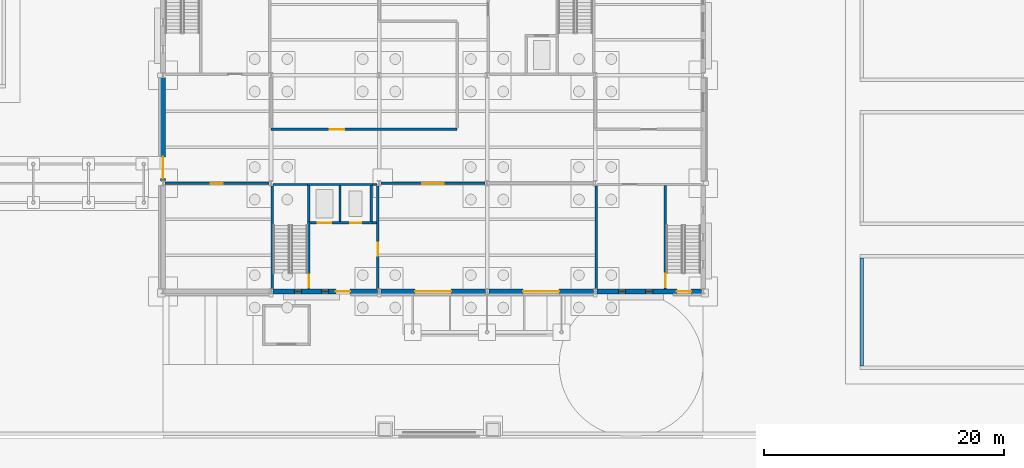
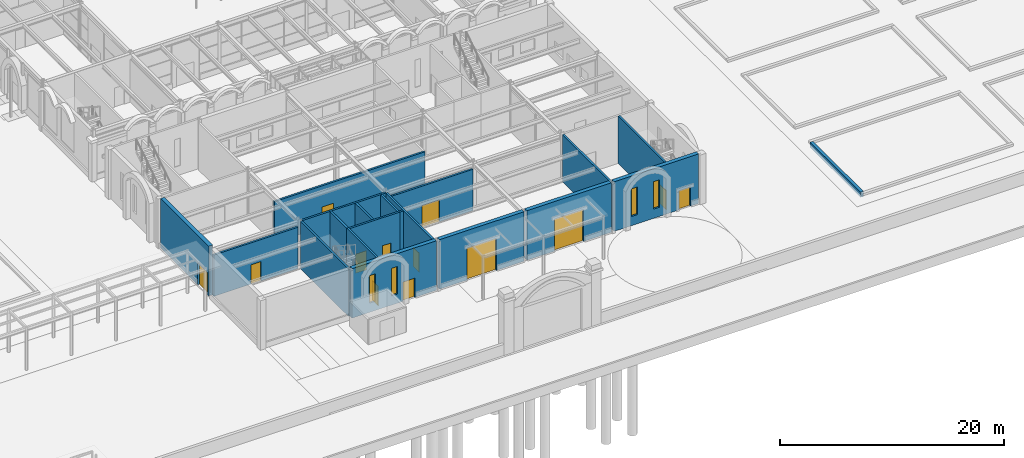
# One storey, part 69 of 126: 22 walls, 13 doors, 4 windows, 17 openings.
"""IFC4 building model written with IfcOpenShell, lengths in metres."""

from ifc_helpers import new_model, si_unit, direction, frame, frame_2d, origin, place, context, subcontext, project, spatial, rectangle, extrude, material, layer, layer_set, type_object, element, fill, save


model = new_model("IFC4")

# Units and contexts
model_context = context("Model", 3, precision=1e-05, world=origin(), true_north=direction((0.0, 1.0)))
body_context = subcontext(model_context, "Body", "Model", "MODEL_VIEW")
ifc_project = project(units=[si_unit("LENGTHUNIT", "METRE"), si_unit("AREAUNIT", "SQUARE_METRE"), si_unit("VOLUMEUNIT", "CUBIC_METRE"), si_unit("PLANEANGLEUNIT", "RADIAN"), si_unit("MASSUNIT", "GRAM", prefix="KILO")], contexts=[model_context])

# Site, building, storey
site_placement = place(None, origin())
site = spatial("IfcSite", under=ifc_project, at=site_placement, CompositionType="ELEMENT")
building_placement = place(site_placement, origin())
building = spatial("IfcBuilding", under=site, at=building_placement, Name="Kallimachos Central Library", CompositionType="ELEMENT")
storey_placement = place(building_placement, origin())
storey = spatial("IfcBuildingStorey", under=building, at=storey_placement, Name="L00", CompositionType="ELEMENT", Elevation=0.0)

# Wall, opening, door
ifc_material_1 = material(Name="Concrete C30/37", Category="concrete")
ifc_layer_1 = layer(ifc_material_1, 0.199951171875)
ifc_layer_set_1 = layer_set([ifc_layer_1], Name="Compartment wall 200")
wall_type_1 = type_object("IfcWallType", Name="Compartment wall 200", PredefinedType="SOLIDWALL", material=ifc_layer_set_1)
wall_1_placement = place(storey_placement, frame((65.64990234375, 27.0, 0.0), z_axis=(0.0, 0.0, 1.0), x_axis=(1.0, 0.0, 0.0)))
wall_1 = element("IfcWall", 1, at=wall_1_placement, inside=storey, type_object=wall_type_1, Name="V5-WAL-L00-043", PredefinedType="SOLIDWALL", context=body_context, shape_type="SweptSolid", body=[
    extrude(rectangle(XDim=8.696533203125, YDim=0.199951171875, at=frame_2d((4.34814453125, 0.0))), origin(), (0.0, 0.0, 1.0), 4.5),
])
opening_1_placement = place(wall_1_placement, frame((3.85009765625, 0.0, 0.0)))
opening_1 = element("IfcOpeningElement", 2, at=opening_1_placement, cuts=wall_1, Name="Opening D90", PredefinedType="OPENING", context=body_context, shape_type="SweptSolid", body=[
    extrude(rectangle(XDim=1.0, YDim=2.10009765625, at=frame_2d((0.5, 1.050048828125))), frame((0.0, 0.10986328125, 0.0), z_axis=(0.0, -1.0, 0.0), x_axis=(1.0, 0.0, 0.0)), (0.0, 0.0, 1.0), 0.219970703125),
])
ifc_material_2 = material(Name="Steel fire door", Category="steel")
door_type_1 = type_object("IfcDoorType", Name="Fire door EI2 90 1000 x 2100", OperationType="NOTDEFINED", PredefinedType="DOOR", material=ifc_material_2)
door_1_placement = place(opening_1_placement, frame((1.0, 0.0, 0.0), z_axis=(0.0, 0.0, 1.0), x_axis=(-1.0, 0.0, 0.0)))
door_1 = element("IfcDoor", 3, at=door_1_placement, inside=storey, type_object=door_type_1, Name="Quarantine Room door", OperationType="SINGLE_SWING_LEFT", OverallHeight=2.10009765625, OverallWidth=1.0, PredefinedType="DOOR", context=body_context, shape_type="SweptSolid", body=[
    extrude(rectangle(XDim=1.0, YDim=2.10009765625, at=frame_2d((0.5, 1.050048828125))), frame((0.0, 0.02490234375, 0.0), z_axis=(0.0, -1.0, 0.0), x_axis=(1.0, 0.0, 0.0)), (0.0, 0.0, 1.0), 0.050048828125),
])
fill(opening_1, door_1)

wall_2_placement = place(storey_placement, frame((83.653564453125, 27.0, 0.0), z_axis=(0.0, 0.0, 1.0), x_axis=(1.0, 0.0, 0.0)))
wall_2 = element("IfcWall", 4, at=wall_2_placement, inside=storey, type_object=wall_type_1, Name="V5-WAL-L00-044", PredefinedType="SOLIDWALL", context=body_context, shape_type="SweptSolid", body=[
    extrude(rectangle(XDim=8.69287109375, YDim=0.199951171875, at=frame_2d((4.346435546875, 0.0))), origin(), (0.0, 0.0, 1.0), 4.5),
])
opening_2_placement = place(wall_2_placement, frame((3.446533203125, 0.0, 0.0)))
opening_2 = element("IfcOpeningElement", 5, at=opening_2_placement, cuts=wall_2, Name="Opening D91", PredefinedType="OPENING", context=body_context, shape_type="SweptSolid", body=[
    extrude(rectangle(XDim=1.800048828125, YDim=2.39990234375, at=frame_2d((0.89990234375, 1.199951171875))), frame((0.0, 0.10986328125, 0.0), z_axis=(0.0, -1.0, 0.0), x_axis=(1.0, 0.0, 0.0)), (0.0, 0.0, 1.0), 0.219970703125),
])
ifc_material_3 = material(Name="Steel fire door", Category="steel")
door_type_2 = type_object("IfcDoorType", Name="Fire door EI2 90 1800 x 2400", OperationType="DOUBLE_DOOR_SINGLE_SWING", PredefinedType="DOOR", material=ifc_material_3)
door_2_placement = place(opening_2_placement, origin())
door_2 = element("IfcDoor", 6, at=door_2_placement, inside=storey, type_object=door_type_2, Name="Receiving Dock door", OperationType="DOUBLE_DOOR_SINGLE_SWING", OverallHeight=2.39990234375, OverallWidth=1.800048828125, PredefinedType="DOOR", context=body_context, shape_type="SweptSolid", body=[
    extrude(rectangle(XDim=1.800048828125, YDim=2.39990234375, at=frame_2d((0.89990234375, 1.199951171875))), frame((0.0, 0.02490234375, 0.0), z_axis=(0.0, -1.0, 0.0), x_axis=(1.0, 0.0, 0.0)), (0.0, 0.0, 1.0), 0.050048828125),
])
fill(opening_2, door_2)

wall_3_placement = place(storey_placement, frame((74.5, 31.5, 0.0), z_axis=(0.0, 0.0, 1.0), x_axis=(1.0, 0.0, 0.0)))
wall_3 = element("IfcWall", 7, at=wall_3_placement, inside=storey, type_object=wall_type_1, Name="V5-WAL-L00-046", PredefinedType="SOLIDWALL", context=body_context, shape_type="SweptSolid", body=[
    extrude(rectangle(XDim=15.5, YDim=0.199951171875, at=frame_2d((7.75, 0.0))), origin(), (0.0, 0.0, 1.0), 4.5),
])
opening_3_placement = place(wall_3_placement, frame((4.89990234375, 0.0, 0.0)))
opening_3 = element("IfcOpeningElement", 8, at=opening_3_placement, cuts=wall_3, Name="Opening D92", PredefinedType="OPENING", context=body_context, shape_type="SweptSolid", body=[
    extrude(rectangle(XDim=1.199951171875, YDim=2.199951171875, at=frame_2d((0.60009765625, 1.10009765625))), frame((0.0, 0.10986328125, 0.0), z_axis=(0.0, -1.0, 0.0), x_axis=(1.0, 0.0, 0.0)), (0.0, 0.0, 1.0), 0.219970703125),
])
ifc_material_4 = material(Name="Steel fire door", Category="steel")
door_type_3 = type_object("IfcDoorType", Name="Fire door EI2 90 1200 x 2200", OperationType="DOUBLE_DOOR_SINGLE_SWING", PredefinedType="DOOR", material=ifc_material_4)
door_3_placement = place(opening_3_placement, origin())
door_3 = element("IfcDoor", 9, at=door_3_placement, inside=storey, type_object=door_type_3, Name="Plant Room 1 door", OperationType="DOUBLE_DOOR_SINGLE_SWING", OverallHeight=2.199951171875, OverallWidth=1.199951171875, PredefinedType="DOOR", context=body_context, shape_type="SweptSolid", body=[
    extrude(rectangle(XDim=1.199951171875, YDim=2.199951171875, at=frame_2d((0.60009765625, 1.10009765625))), frame((0.0, 0.02490234375, 0.0), z_axis=(0.0, -1.0, 0.0), x_axis=(1.0, 0.0, 0.0)), (0.0, 0.0, 1.0), 0.050048828125),
])
fill(opening_3, door_3)

# Walls
ifc_material_5 = material(Name="Concrete C30/37", Category="concrete")
ifc_layer_2 = layer(ifc_material_5, 0.199951171875)
ifc_layer_set_2 = layer_set([ifc_layer_2], Name="Core wall 200")
wall_type_2 = type_object("IfcWallType", Name="Core wall 200", PredefinedType="SOLIDWALL", material=ifc_layer_set_2)
wall_4_placement = place(storey_placement, frame((74.653564453125, 26.89990234375, 0.0), z_axis=(0.0, 0.0, 1.0), x_axis=(1.0, 0.0, 0.0)))
element("IfcWall", 10, at=wall_4_placement, inside=storey, type_object=wall_type_2, Name="V5-WAL-L00-026", PredefinedType="SOLIDWALL", context=body_context, shape_type="SweptSolid", body=[
    extrude(rectangle(XDim=2.896484375, YDim=0.199951171875, at=frame_2d((1.4482421875, 0.0))), origin(), (0.0, 0.0, 1.0), 5.14990234375),
])
wall_5_placement = place(storey_placement, frame((82.949951171875, 26.89990234375, 0.0), z_axis=(0.0, 0.0, 1.0), x_axis=(1.0, 0.0, 0.0)))
element("IfcWall", 11, at=wall_5_placement, inside=storey, type_object=wall_type_2, Name="V5-WAL-L00-027", PredefinedType="SOLIDWALL", context=body_context, shape_type="SweptSolid", body=[
    extrude(rectangle(XDim=0.396484375, YDim=0.199951171875, at=frame_2d((0.1982421875, 0.0))), origin(), (0.0, 0.0, 1.0), 5.14990234375),
])
wall_6_placement = place(storey_placement, frame((74.60009765625, 18.199951171875, 0.0), z_axis=(0.0, 0.0, 1.0), x_axis=(0.0, 1.0, 0.0)))
element("IfcWall", 12, at=wall_6_placement, inside=storey, type_object=wall_type_2, Name="V5-WAL-L00-028", PredefinedType="SOLIDWALL", context=body_context, shape_type="SweptSolid", body=[
    extrude(rectangle(XDim=8.583984375, YDim=0.199951171875, at=frame_2d((4.2919921875, 0.0))), origin(), (0.0, 0.0, 1.0), 5.14990234375),
])

# Wall, opening, door
wall_7_placement = place(storey_placement, frame((83.39990234375, 18.199951171875, 0.0), z_axis=(0.0, 0.0, 1.0), x_axis=(0.0, 1.0, 0.0)))
wall_7 = element("IfcWall", 13, at=wall_7_placement, inside=storey, type_object=wall_type_2, Name="V5-WAL-L00-029", PredefinedType="SOLIDWALL", context=body_context, shape_type="SweptSolid", body=[
    extrude(rectangle(XDim=8.583984375, YDim=0.199951171875, at=frame_2d((4.2919921875, 0.0))), origin(), (0.0, 0.0, 1.0), 5.14990234375),
])
opening_4_placement = place(wall_7_placement, frame((2.75, 0.0, 0.0)))
opening_4 = element("IfcOpeningElement", 14, at=opening_4_placement, cuts=wall_7, Name="Opening D83", PredefinedType="OPENING", context=body_context, shape_type="SweptSolid", body=[
    extrude(rectangle(XDim=1.10009765625, YDim=2.10009765625, at=frame_2d((0.550048828125, 1.050048828125))), frame((0.0, 0.10986328125, 0.0), z_axis=(0.0, -1.0, 0.0), x_axis=(1.0, 0.0, 0.0)), (0.0, 0.0, 1.0), 0.219970703125),
])
ifc_material_6 = material(Name="Steel fire door", Category="steel")
door_type_4 = type_object("IfcDoorType", Name="Fire door EI2 90 1100 x 2100", OperationType="NOTDEFINED", PredefinedType="DOOR", material=ifc_material_6)
door_4_placement = place(opening_4_placement, origin())
door_4 = element("IfcDoor", 15, at=door_4_placement, inside=storey, type_object=door_type_4, Name="ST13 lobby door L00", OperationType="SINGLE_SWING_RIGHT", OverallHeight=2.10009765625, OverallWidth=1.10009765625, PredefinedType="DOOR", context=body_context, shape_type="SweptSolid", body=[
    extrude(rectangle(XDim=1.10009765625, YDim=2.10009765625, at=frame_2d((0.550048828125, 1.050048828125))), frame((0.0, 0.02490234375, 0.0), z_axis=(0.0, -1.0, 0.0), x_axis=(1.0, 0.0, 0.0)), (0.0, 0.0, 1.0), 0.050048828125),
])
fill(opening_4, door_4)

wall_8_placement = place(storey_placement, frame((77.64990234375, 18.199951171875, 0.0), z_axis=(0.0, 0.0, 1.0), x_axis=(0.0, 1.0, 0.0)))
wall_8 = element("IfcWall", 16, at=wall_8_placement, inside=storey, type_object=wall_type_2, Name="V5-WAL-L00-030", PredefinedType="SOLIDWALL", context=body_context, shape_type="SweptSolid", body=[
    extrude(rectangle(XDim=5.60009765625, YDim=0.199951171875, at=frame_2d((2.800048828125, 0.0))), origin(), (0.0, 0.0, 1.0), 5.14990234375),
])
opening_5_placement = place(wall_8_placement, frame((0.10009765625, 0.0, 0.0)))
opening_5 = element("IfcOpeningElement", 17, at=opening_5_placement, cuts=wall_8, Name="Opening D82", PredefinedType="OPENING", context=body_context, shape_type="SweptSolid", body=[
    extrude(rectangle(XDim=1.10009765625, YDim=2.10009765625, at=frame_2d((0.550048828125, 1.050048828125))), frame((0.0, 0.10986328125, 0.0), z_axis=(0.0, -1.0, 0.0), x_axis=(1.0, 0.0, 0.0)), (0.0, 0.0, 1.0), 0.219970703125),
])
door_5_placement = place(opening_5_placement, origin())
door_5 = element("IfcDoor", 18, at=door_5_placement, inside=storey, type_object=door_type_4, Name="ST13 stair door L00", OperationType="SINGLE_SWING_RIGHT", OverallHeight=2.10009765625, OverallWidth=1.10009765625, PredefinedType="DOOR", context=body_context, shape_type="SweptSolid", body=[
    extrude(rectangle(XDim=1.10009765625, YDim=2.10009765625, at=frame_2d((0.550048828125, 1.050048828125))), frame((0.0, 0.02490234375, 0.0), z_axis=(0.0, -1.0, 0.0), x_axis=(1.0, 0.0, 0.0)), (0.0, 0.0, 1.0), 0.050048828125),
])
fill(opening_5, door_5)

# Walls
wall_9_placement = place(storey_placement, frame((82.949951171875, 23.699951171875, 0.0), z_axis=(0.0, 0.0, 1.0), x_axis=(1.0, 0.0, 0.0)))
element("IfcWall", 19, at=wall_9_placement, inside=storey, type_object=wall_type_2, Name="V5-WAL-L00-031", PredefinedType="SOLIDWALL", context=body_context, shape_type="SweptSolid", body=[
    extrude(rectangle(XDim=0.35009765625, YDim=0.199951171875, at=frame_2d((0.175048828125, 0.0))), origin(), (0.0, 0.0, 1.0), 5.14990234375),
])
wall_10_placement = place(storey_placement, frame((101.60009765625, 18.199951171875, 0.0), z_axis=(0.0, 0.0, 1.0), x_axis=(0.0, 1.0, 0.0)))
element("IfcWall", 20, at=wall_10_placement, inside=storey, type_object=wall_type_2, Name="V5-WAL-L00-041", PredefinedType="SOLIDWALL", context=body_context, shape_type="SweptSolid", body=[
    extrude(rectangle(XDim=8.583984375, YDim=0.199951171875, at=frame_2d((4.2919921875, 0.0))), origin(), (0.0, 0.0, 1.0), 5.14990234375),
])

# Wall, opening, door
wall_11_placement = place(storey_placement, frame((107.35009765625, 18.199951171875, 0.0), z_axis=(0.0, 0.0, 1.0), x_axis=(0.0, 1.0, 0.0)))
wall_11 = element("IfcWall", 21, at=wall_11_placement, inside=storey, type_object=wall_type_2, Name="V5-WAL-L00-042", PredefinedType="SOLIDWALL", context=body_context, shape_type="SweptSolid", body=[
    extrude(rectangle(XDim=8.60009765625, YDim=0.199951171875, at=frame_2d((4.300048828125, 0.0))), origin(), (0.0, 0.0, 1.0), 5.14990234375),
])
opening_6_placement = place(wall_11_placement, frame((0.14990234375, 0.0, 0.0)))
opening_6 = element("IfcOpeningElement", 22, at=opening_6_placement, cuts=wall_11, Name="Opening D88", PredefinedType="OPENING", context=body_context, shape_type="SweptSolid", body=[
    extrude(rectangle(XDim=1.10009765625, YDim=2.10009765625, at=frame_2d((0.550048828125, 1.050048828125))), frame((0.0, 0.10986328125, 0.0), z_axis=(0.0, -1.0, 0.0), x_axis=(1.0, 0.0, 0.0)), (0.0, 0.0, 1.0), 0.219970703125),
])
door_6_placement = place(opening_6_placement, frame((1.10009765625, 0.0, 0.0), z_axis=(0.0, 0.0, 1.0), x_axis=(-1.0, 0.0, 0.0)))
door_6 = element("IfcDoor", 23, at=door_6_placement, inside=storey, type_object=door_type_4, Name="ST16 stair door L00", OperationType="SINGLE_SWING_LEFT", OverallHeight=2.10009765625, OverallWidth=1.10009765625, PredefinedType="DOOR", context=body_context, shape_type="SweptSolid", body=[
    extrude(rectangle(XDim=1.10009765625, YDim=2.10009765625, at=frame_2d((0.550048828125, 1.050048828125))), frame((0.0, 0.02490234375, 0.0), z_axis=(0.0, -1.0, 0.0), x_axis=(1.0, 0.0, 0.0)), (0.0, 0.0, 1.0), 0.050048828125),
])
fill(opening_6, door_6)

# Wall
ifc_material_7 = material(Name="Granite kerb stone", Category="masonry")
ifc_layer_3 = layer(ifc_material_7, 0.300048828125)
ifc_layer_set_3 = layer_set([ifc_layer_3], Name="Granite kerb 300")
wall_type_3 = type_object("IfcWallType", Name="Granite kerb 300", PredefinedType="SOLIDWALL", material=ifc_layer_set_3)
wall_12_placement = place(storey_placement, frame((123.699951171875, 11.77490234375, -0.300048828125), z_axis=(0.0, 0.0, 1.0), x_axis=(0.0, 1.0, 0.0)))
element("IfcWall", 24, at=wall_12_placement, inside=storey, type_object=wall_type_3, Name="Garden bed kerb west 122-10", PredefinedType="SOLIDWALL", context=body_context, shape_type="SweptSolid", body=[
    extrude(rectangle(XDim=9.0, YDim=0.300048828125, at=frame_2d((4.5, 0.0))), origin(), (0.0, 0.0, 1.0), 0.550048828125),
])

# Wall, openings, doors
ifc_material_8 = material(Name="Concrete C30/37", Category="concrete")
ifc_layer_4 = layer(ifc_material_8, 0.199951171875)
ifc_layer_set_4 = layer_set([ifc_layer_4], Name="Lift shaft wall 200")
wall_type_4 = type_object("IfcWallType", Name="Lift shaft wall 200", PredefinedType="SOLIDWALL", material=ifc_layer_set_4)
wall_13_placement = place(storey_placement, frame((77.550048828125, 23.699951171875, -1.10009765625), z_axis=(0.0, 0.0, 1.0), x_axis=(1.0, 0.0, 0.0)))
wall_13 = element("IfcWall", 25, at=wall_13_placement, inside=storey, type_object=wall_type_4, Name="V5-WAL-L00-001", PredefinedType="SOLIDWALL", context=body_context, shape_type="SweptSolid", body=[
    extrude(rectangle(XDim=5.39990234375, YDim=0.199951171875, at=frame_2d((2.699951171875, 0.0))), origin(), (0.0, 0.0, 1.0), 6.25),
])
opening_7_placement = place(wall_13_placement, frame((0.85009765625, 0.0, 1.10009765625)))
opening_7 = element("IfcOpeningElement", 26, at=opening_7_placement, cuts=wall_13, Name="Opening LD1100", PredefinedType="OPENING", context=body_context, shape_type="SweptSolid", body=[
    extrude(rectangle(XDim=1.10009765625, YDim=2.10009765625, at=frame_2d((0.550048828125, 1.050048828125))), frame((0.0, 0.10986328125, 0.0), z_axis=(0.0, -1.0, 0.0), x_axis=(1.0, 0.0, 0.0)), (0.0, 0.0, 1.0), 0.219970703125),
])
opening_8_placement = place(wall_13_placement, frame((3.550048828125, 0.0, 1.10009765625)))
opening_8 = element("IfcOpeningElement", 27, at=opening_8_placement, cuts=wall_13, Name="Opening LD900", PredefinedType="OPENING", context=body_context, shape_type="SweptSolid", body=[
    extrude(rectangle(XDim=0.89990234375, YDim=2.10009765625, at=frame_2d((0.449951171875, 1.050048828125))), frame((0.0, 0.10986328125, 0.0), z_axis=(0.0, -1.0, 0.0), x_axis=(1.0, 0.0, 0.0)), (0.0, 0.0, 1.0), 0.219970703125),
])
ifc_material_9 = material(Name="Stainless steel", Category="steel")
door_type_5 = type_object("IfcDoorType", Name="Lift landing door 1100 x 2100", OperationType="SLIDING_TO_LEFT", PredefinedType="DOOR", material=ifc_material_9)
door_7_placement = place(opening_7_placement, origin())
door_7 = element("IfcDoor", 28, at=door_7_placement, inside=storey, type_object=door_type_5, Name="LF11 landing door L00", OperationType="SLIDING_TO_LEFT", OverallHeight=2.10009765625, OverallWidth=1.10009765625, PredefinedType="DOOR", context=body_context, shape_type="SweptSolid", body=[
    extrude(rectangle(XDim=1.10009765625, YDim=2.10009765625, at=frame_2d((0.550048828125, 1.050048828125))), frame((0.0, 0.02490234375, 0.0), z_axis=(0.0, -1.0, 0.0), x_axis=(1.0, 0.0, 0.0)), (0.0, 0.0, 1.0), 0.050048828125),
])
fill(opening_7, door_7)
ifc_material_10 = material(Name="Stainless steel", Category="steel")
door_type_6 = type_object("IfcDoorType", Name="Lift landing door 900 x 2100", OperationType="SLIDING_TO_LEFT", PredefinedType="DOOR", material=ifc_material_10)
door_8_placement = place(opening_8_placement, origin())
door_8 = element("IfcDoor", 29, at=door_8_placement, inside=storey, type_object=door_type_6, Name="LF12 landing door L00", OperationType="SLIDING_TO_LEFT", OverallHeight=2.10009765625, OverallWidth=0.89990234375, PredefinedType="DOOR", context=body_context, shape_type="SweptSolid", body=[
    extrude(rectangle(XDim=0.89990234375, YDim=2.10009765625, at=frame_2d((0.449951171875, 1.050048828125))), frame((0.0, 0.02490234375, 0.0), z_axis=(0.0, -1.0, 0.0), x_axis=(1.0, 0.0, 0.0)), (0.0, 0.0, 1.0), 0.050048828125),
])
fill(opening_8, door_8)

# Walls
wall_14_placement = place(storey_placement, frame((77.550048828125, 26.89990234375, -1.10009765625), z_axis=(0.0, 0.0, 1.0), x_axis=(1.0, 0.0, 0.0)))
element("IfcWall", 30, at=wall_14_placement, inside=storey, type_object=wall_type_4, Name="V5-WAL-L00-002", PredefinedType="SOLIDWALL", context=body_context, shape_type="SweptSolid", body=[
    extrude(rectangle(XDim=5.39990234375, YDim=0.199951171875, at=frame_2d((2.699951171875, 0.0))), origin(), (0.0, 0.0, 1.0), 6.25),
])
for number, where, z_axis, x_axis, name in (
    (31, (77.64990234375, 23.800048828125, -1.10009765625), (0.0, 0.0, 1.0), (0.0, 1.0, 0.0), "V5-WAL-L00-003"),
    (32, (80.25, 23.800048828125, -1.10009765625), (0.0, 0.0, 1.0), (0.0, 1.0, 0.0), "V5-WAL-L00-004"),
    (33, (82.85009765625, 23.800048828125, -1.10009765625), (0.0, 0.0, 1.0), (0.0, 1.0, 0.0), "V5-WAL-L00-005"),
):
    element("IfcWall", number, at=place(storey_placement, frame(where, z_axis=z_axis, x_axis=x_axis)), inside=storey, type_object=wall_type_4, Name=name, PredefinedType="SOLIDWALL", context=body_context, shape_type="SweptSolid", body=[
        extrude(rectangle(XDim=3.0, YDim=0.199951171875, at=frame_2d((1.5, 0.0))), origin(), (0.0, 0.0, 1.0), 6.25),
    ])

# Wall, opening, door
ifc_material_11 = material(Name="Pentelic marble masonry", Category="masonry")
ifc_layer_5 = layer(ifc_material_11, 0.39990234375)
ifc_layer_set_5 = layer_set([ifc_layer_5], Name="Stone masonry wall 400")
wall_type_5 = type_object("IfcWallType", Name="Stone masonry wall 400", PredefinedType="SOLIDWALL", material=ifc_layer_set_5)
wall_15_placement = place(storey_placement, frame((83.64990234375, 18.0, 0.0), z_axis=(0.0, 0.0, 1.0), x_axis=(1.0, 0.0, 0.0)))
wall_15 = element("IfcWall", 34, at=wall_15_placement, inside=storey, type_object=wall_type_5, Name="V5-WAL-L00-012", PredefinedType="SOLIDWALL", context=body_context, shape_type="SweptSolid", body=[
    extrude(rectangle(XDim=8.7001953125, YDim=0.39990234375, at=frame_2d((4.35009765625, 0.0))), origin(), (0.0, 0.0, 1.0), 5.39990234375),
])
opening_9_placement = place(wall_15_placement, frame((2.85009765625, 0.0, 0.0)))
opening_9 = element("IfcOpeningElement", 35, at=opening_9_placement, cuts=wall_15, Name="Opening D17", PredefinedType="OPENING", context=body_context, shape_type="SweptSolid", body=[
    extrude(rectangle(XDim=3.0, YDim=3.5, at=frame_2d((1.5, 1.75))), frame((0.0, 0.2099609375, 0.0), z_axis=(0.0, -1.0, 0.0), x_axis=(1.0, 0.0, 0.0)), (0.0, 0.0, 1.0), 0.419921875),
])
ifc_material_12 = material(Name="Insulated steel roller shutter", Category="steel")
door_type_7 = type_object("IfcDoorType", Name="Loading dock door 3000 x 3500", OperationType="ROLLINGUP", PredefinedType="GATE", material=ifc_material_12)
door_9_placement = place(opening_9_placement, origin())
door_9 = element("IfcDoor", 36, at=door_9_placement, inside=storey, type_object=door_type_7, Name="Loading bay door 1", OperationType="ROLLINGUP", OverallHeight=3.5, OverallWidth=3.0, PredefinedType="GATE", context=body_context, shape_type="SweptSolid", body=[
    extrude(rectangle(XDim=3.0, YDim=3.5, at=frame_2d((1.5, 1.75))), frame((0.0, 0.02490234375, 0.0), z_axis=(0.0, -1.0, 0.0), x_axis=(1.0, 0.0, 0.0)), (0.0, 0.0, 1.0), 0.050048828125),
])
fill(opening_9, door_9)

wall_16_placement = place(storey_placement, frame((92.64990234375, 18.0, 0.0), z_axis=(0.0, 0.0, 1.0), x_axis=(1.0, 0.0, 0.0)))
wall_16 = element("IfcWall", 37, at=wall_16_placement, inside=storey, type_object=wall_type_5, Name="V5-WAL-L00-013", PredefinedType="SOLIDWALL", context=body_context, shape_type="SweptSolid", body=[
    extrude(rectangle(XDim=8.7001953125, YDim=0.39990234375, at=frame_2d((4.35009765625, 0.0))), origin(), (0.0, 0.0, 1.0), 5.39990234375),
])
opening_10_placement = place(wall_16_placement, frame((2.85009765625, 0.0, 0.0)))
opening_10 = element("IfcOpeningElement", 38, at=opening_10_placement, cuts=wall_16, Name="Opening D18", PredefinedType="OPENING", context=body_context, shape_type="SweptSolid", body=[
    extrude(rectangle(XDim=3.0, YDim=3.5, at=frame_2d((1.5, 1.75))), frame((0.0, 0.2099609375, 0.0), z_axis=(0.0, -1.0, 0.0), x_axis=(1.0, 0.0, 0.0)), (0.0, 0.0, 1.0), 0.419921875),
])
door_10_placement = place(opening_10_placement, origin())
door_10 = element("IfcDoor", 39, at=door_10_placement, inside=storey, type_object=door_type_7, Name="Loading bay door 2", OperationType="ROLLINGUP", OverallHeight=3.5, OverallWidth=3.0, PredefinedType="GATE", context=body_context, shape_type="SweptSolid", body=[
    extrude(rectangle(XDim=3.0, YDim=3.5, at=frame_2d((1.5, 1.75))), frame((0.0, 0.02490234375, 0.0), z_axis=(0.0, -1.0, 0.0), x_axis=(1.0, 0.0, 0.0)), (0.0, 0.0, 1.0), 0.050048828125),
])
fill(opening_10, door_10)

wall_17_placement = place(storey_placement, frame((65.5, 27.199951171875, 0.0), z_axis=(0.0, 0.0, 1.0), x_axis=(0.0, 1.0, 0.0)))
wall_17 = element("IfcWall", 40, at=wall_17_placement, inside=storey, type_object=wall_type_5, Name="V5-WAL-L00-021", PredefinedType="SOLIDWALL", context=body_context, shape_type="SweptSolid", body=[
    extrude(rectangle(XDim=8.60009765625, YDim=0.39990234375, at=frame_2d((4.300048828125, 0.0))), origin(), (0.0, 0.0, 1.0), 5.39990234375),
])
opening_11_placement = place(wall_17_placement, frame((0.199951171875, 0.0, 0.0)))
opening_11 = element("IfcOpeningElement", 41, at=opening_11_placement, cuts=wall_17, Name="Opening DL1", PredefinedType="OPENING", context=body_context, shape_type="SweptSolid", body=[
    extrude(rectangle(XDim=1.800048828125, YDim=2.39990234375, at=frame_2d((0.89990234375, 1.199951171875))), frame((0.0, 0.2099609375, 0.0), z_axis=(0.0, -1.0, 0.0), x_axis=(1.0, 0.0, 0.0)), (0.0, 0.0, 1.0), 0.419921875),
])
ifc_material_13 = material(Name="Anodised aluminium and laminated glass", Category="aluminium")
door_type_8 = type_object("IfcDoorType", Name="Link door 1800 x 2400", OperationType="DOUBLE_DOOR_SINGLE_SWING", PredefinedType="DOOR", material=ifc_material_13)
door_11_placement = place(opening_11_placement, origin())
door_11 = element("IfcDoor", 42, at=door_11_placement, inside=storey, type_object=door_type_8, Name="Garden arcade door", OperationType="DOUBLE_DOOR_SINGLE_SWING", OverallHeight=2.39990234375, OverallWidth=1.800048828125, PredefinedType="DOOR", context=body_context, shape_type="SweptSolid", body=[
    extrude(rectangle(XDim=1.800048828125, YDim=2.39990234375, at=frame_2d((0.89990234375, 1.199951171875))), frame((0.0, 0.02490234375, 0.0), z_axis=(0.0, -1.0, 0.0), x_axis=(1.0, 0.0, 0.0)), (0.0, 0.0, 1.0), 0.050048828125),
])
fill(opening_11, door_11)

# Wall, openings, door, windows
ifc_material_14 = material(Name="Concrete C30/37", Category="concrete")
ifc_layer_6 = layer(ifc_material_14, 0.39990234375)
ifc_layer_set_6 = layer_set([ifc_layer_6], Name="Stone-clad core wall 400")
wall_type_6 = type_object("IfcWallType", Name="Stone-clad core wall 400", PredefinedType="SOLIDWALL", material=ifc_layer_set_6)
wall_18_placement = place(storey_placement, frame((74.64990234375, 18.0, 0.0), z_axis=(0.0, 0.0, 1.0), x_axis=(1.0, 0.0, 0.0)))
wall_18 = element("IfcWall", 43, at=wall_18_placement, inside=storey, type_object=wall_type_6, Name="V5-WAL-L00-011", PredefinedType="SOLIDWALL", context=body_context, shape_type="SweptSolid", body=[
    extrude(rectangle(XDim=8.7001953125, YDim=0.39990234375, at=frame_2d((4.35009765625, 0.0))), origin(), (0.0, 0.0, 1.0), 5.39990234375),
])
opening_12_placement = place(wall_18_placement, frame((5.25, 0.0, 0.0)))
opening_12 = element("IfcOpeningElement", 44, at=opening_12_placement, cuts=wall_18, Name="Opening D19", PredefinedType="OPENING", context=body_context, shape_type="SweptSolid", body=[
    extrude(rectangle(XDim=1.199951171875, YDim=2.10009765625, at=frame_2d((0.60009765625, 1.050048828125))), frame((0.0, 0.2099609375, 0.0), z_axis=(0.0, -1.0, 0.0), x_axis=(1.0, 0.0, 0.0)), (0.0, 0.0, 1.0), 0.419921875),
])
opening_13_placement = place(wall_18_placement, frame((1.800048828125, 0.0, 1.0)))
opening_13 = element("IfcOpeningElement", 45, at=opening_13_placement, cuts=wall_18, Name="Opening WN8", PredefinedType="OPENING", context=body_context, shape_type="SweptSolid", body=[
    extrude(rectangle(XDim=0.60009765625, YDim=3.0, at=frame_2d((0.300048828125, 1.5))), frame((0.0, 0.2099609375, 0.0), z_axis=(0.0, -1.0, 0.0), x_axis=(1.0, 0.0, 0.0)), (0.0, 0.0, 1.0), 0.419921875),
])
opening_14_placement = place(wall_18_placement, frame((4.050048828125, 0.0, 1.0)))
opening_14 = element("IfcOpeningElement", 46, at=opening_14_placement, cuts=wall_18, Name="Opening WN9", PredefinedType="OPENING", context=body_context, shape_type="SweptSolid", body=[
    extrude(rectangle(XDim=0.60009765625, YDim=3.0, at=frame_2d((0.300048828125, 1.5))), frame((0.0, 0.2099609375, 0.0), z_axis=(0.0, -1.0, 0.0), x_axis=(1.0, 0.0, 0.0)), (0.0, 0.0, 1.0), 0.419921875),
])
ifc_material_15 = material(Name="Steel fire door", Category="steel")
door_type_9 = type_object("IfcDoorType", Name="Fire door EI2 90 1200 x 2100", OperationType="DOUBLE_DOOR_SINGLE_SWING", PredefinedType="DOOR", material=ifc_material_15)
door_12_placement = place(opening_12_placement, frame((1.199951171875, 0.0, 0.0), z_axis=(0.0, 0.0, 1.0), x_axis=(-1.0, 0.0, 0.0)))
door_12 = element("IfcDoor", 47, at=door_12_placement, inside=storey, type_object=door_type_9, Name="Exit Door SW stair", OperationType="DOUBLE_DOOR_SINGLE_SWING", OverallHeight=2.10009765625, OverallWidth=1.199951171875, PredefinedType="DOOR", context=body_context, shape_type="SweptSolid", body=[
    extrude(rectangle(XDim=1.199951171875, YDim=2.10009765625, at=frame_2d((0.60009765625, 1.050048828125))), frame((0.0, 0.02490234375, 0.0), z_axis=(0.0, -1.0, 0.0), x_axis=(1.0, 0.0, 0.0)), (0.0, 0.0, 1.0), 0.050048828125),
])
fill(opening_12, door_12)
ifc_material_16 = material(Name="Anodised aluminium and laminated glass", Category="aluminium")
window_type = type_object("IfcWindowType", Name="Tall slot window 600 x 3000", PartitioningType="SINGLE_PANEL", PredefinedType="WINDOW", material=ifc_material_16)
window_1_placement = place(opening_13_placement, origin())
window_1 = element("IfcWindow", 48, at=window_1_placement, inside=storey, type_object=window_type, Name="V5-WIN-L00-001", OverallHeight=3.0, OverallWidth=0.60009765625, PartitioningType="SINGLE_PANEL", PredefinedType="WINDOW", context=body_context, shape_type="SweptSolid", body=[
    extrude(rectangle(XDim=0.60009765625, YDim=3.0, at=frame_2d((0.300048828125, 1.5))), frame((0.0, 0.030029296875, 0.0), z_axis=(0.0, -1.0, 0.0), x_axis=(1.0, 0.0, 0.0)), (0.0, 0.0, 1.0), 0.06005859375),
])
fill(opening_13, window_1)
window_2_placement = place(opening_14_placement, origin())
window_2 = element("IfcWindow", 49, at=window_2_placement, inside=storey, type_object=window_type, Name="V5-WIN-L00-002", OverallHeight=3.0, OverallWidth=0.60009765625, PartitioningType="SINGLE_PANEL", PredefinedType="WINDOW", context=body_context, shape_type="SweptSolid", body=[
    extrude(rectangle(XDim=0.60009765625, YDim=3.0, at=frame_2d((0.300048828125, 1.5))), frame((0.0, 0.030029296875, 0.0), z_axis=(0.0, -1.0, 0.0), x_axis=(1.0, 0.0, 0.0)), (0.0, 0.0, 1.0), 0.06005859375),
])
fill(opening_14, window_2)

wall_19_placement = place(storey_placement, frame((101.64990234375, 18.0, 0.0), z_axis=(0.0, 0.0, 1.0), x_axis=(1.0, 0.0, 0.0)))
wall_19 = element("IfcWall", 50, at=wall_19_placement, inside=storey, type_object=wall_type_6, Name="V5-WAL-L00-014", PredefinedType="SOLIDWALL", context=body_context, shape_type="SweptSolid", body=[
    extrude(rectangle(XDim=8.7001953125, YDim=0.39990234375, at=frame_2d((4.35009765625, 0.0))), origin(), (0.0, 0.0, 1.0), 5.39990234375),
])
opening_15_placement = place(wall_19_placement, frame((6.64990234375, 0.0, 0.0)))
opening_15 = element("IfcOpeningElement", 51, at=opening_15_placement, cuts=wall_19, Name="Opening D22", PredefinedType="OPENING", context=body_context, shape_type="SweptSolid", body=[
    extrude(rectangle(XDim=1.199951171875, YDim=2.10009765625, at=frame_2d((0.60009765625, 1.050048828125))), frame((0.0, 0.2099609375, 0.0), z_axis=(0.0, -1.0, 0.0), x_axis=(1.0, 0.0, 0.0)), (0.0, 0.0, 1.0), 0.419921875),
])
opening_16_placement = place(wall_19_placement, frame((1.800048828125, 0.0, 1.0)))
opening_16 = element("IfcOpeningElement", 52, at=opening_16_placement, cuts=wall_19, Name="Opening WN10", PredefinedType="OPENING", context=body_context, shape_type="SweptSolid", body=[
    extrude(rectangle(XDim=0.60009765625, YDim=3.0, at=frame_2d((0.300048828125, 1.5))), frame((0.0, 0.2099609375, 0.0), z_axis=(0.0, -1.0, 0.0), x_axis=(1.0, 0.0, 0.0)), (0.0, 0.0, 1.0), 0.419921875),
])
opening_17_placement = place(wall_19_placement, frame((4.050048828125, 0.0, 1.0)))
opening_17 = element("IfcOpeningElement", 53, at=opening_17_placement, cuts=wall_19, Name="Opening WN11", PredefinedType="OPENING", context=body_context, shape_type="SweptSolid", body=[
    extrude(rectangle(XDim=0.60009765625, YDim=3.0, at=frame_2d((0.300048828125, 1.5))), frame((0.0, 0.2099609375, 0.0), z_axis=(0.0, -1.0, 0.0), x_axis=(1.0, 0.0, 0.0)), (0.0, 0.0, 1.0), 0.419921875),
])
door_13_placement = place(opening_15_placement, frame((1.199951171875, 0.0, 0.0), z_axis=(0.0, 0.0, 1.0), x_axis=(-1.0, 0.0, 0.0)))
door_13 = element("IfcDoor", 54, at=door_13_placement, inside=storey, type_object=door_type_9, Name="Exit Door E stair", OperationType="DOUBLE_DOOR_SINGLE_SWING", OverallHeight=2.10009765625, OverallWidth=1.199951171875, PredefinedType="DOOR", context=body_context, shape_type="SweptSolid", body=[
    extrude(rectangle(XDim=1.199951171875, YDim=2.10009765625, at=frame_2d((0.60009765625, 1.050048828125))), frame((0.0, 0.02490234375, 0.0), z_axis=(0.0, -1.0, 0.0), x_axis=(1.0, 0.0, 0.0)), (0.0, 0.0, 1.0), 0.050048828125),
])
fill(opening_15, door_13)
window_3_placement = place(opening_16_placement, origin())
window_3 = element("IfcWindow", 55, at=window_3_placement, inside=storey, type_object=window_type, Name="V5-WIN-L00-003", OverallHeight=3.0, OverallWidth=0.60009765625, PartitioningType="SINGLE_PANEL", PredefinedType="WINDOW", context=body_context, shape_type="SweptSolid", body=[
    extrude(rectangle(XDim=0.60009765625, YDim=3.0, at=frame_2d((0.300048828125, 1.5))), frame((0.0, 0.030029296875, 0.0), z_axis=(0.0, -1.0, 0.0), x_axis=(1.0, 0.0, 0.0)), (0.0, 0.0, 1.0), 0.06005859375),
])
fill(opening_16, window_3)
window_4_placement = place(opening_17_placement, origin())
window_4 = element("IfcWindow", 56, at=window_4_placement, inside=storey, type_object=window_type, Name="V5-WIN-L00-004", OverallHeight=3.0, OverallWidth=0.60009765625, PartitioningType="SINGLE_PANEL", PredefinedType="WINDOW", context=body_context, shape_type="SweptSolid", body=[
    extrude(rectangle(XDim=0.60009765625, YDim=3.0, at=frame_2d((0.300048828125, 1.5))), frame((0.0, 0.030029296875, 0.0), z_axis=(0.0, -1.0, 0.0), x_axis=(1.0, 0.0, 0.0)), (0.0, 0.0, 1.0), 0.06005859375),
])
fill(opening_17, window_4)

save(model, "model.ifc")
